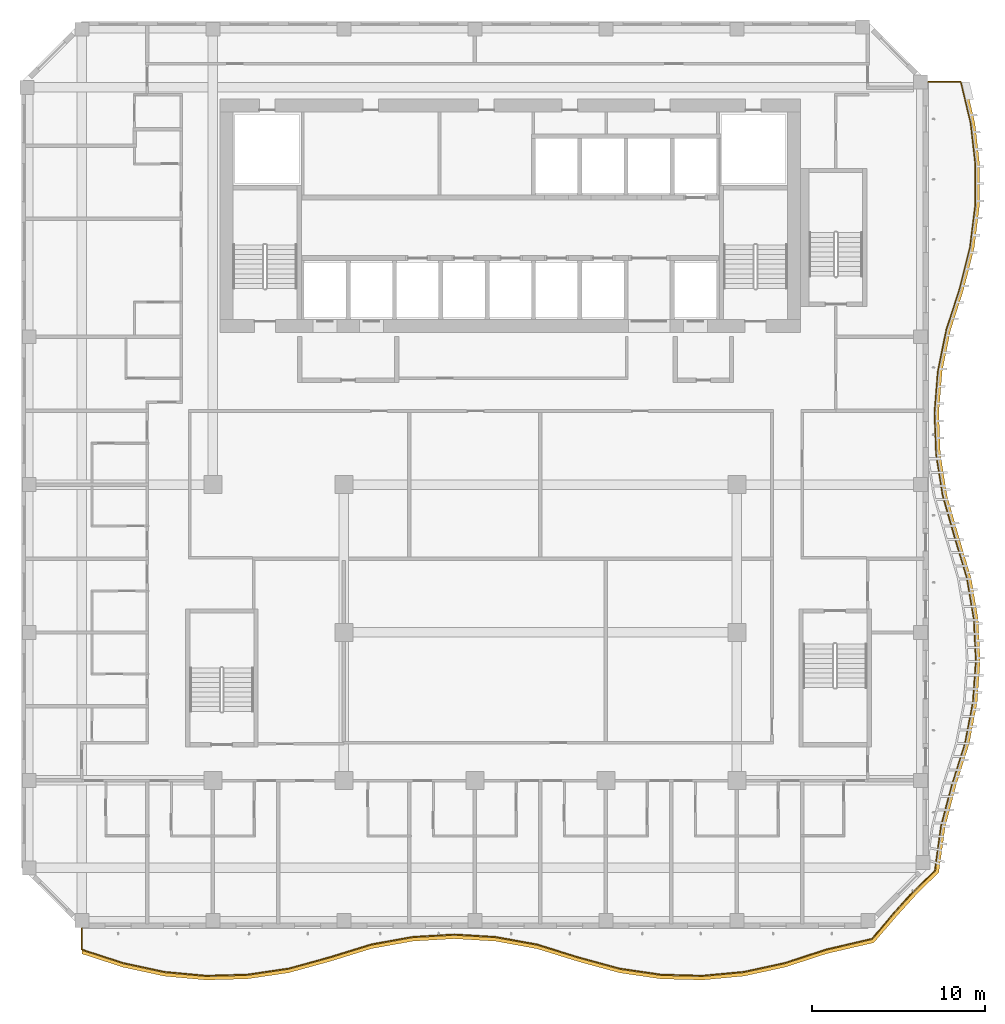
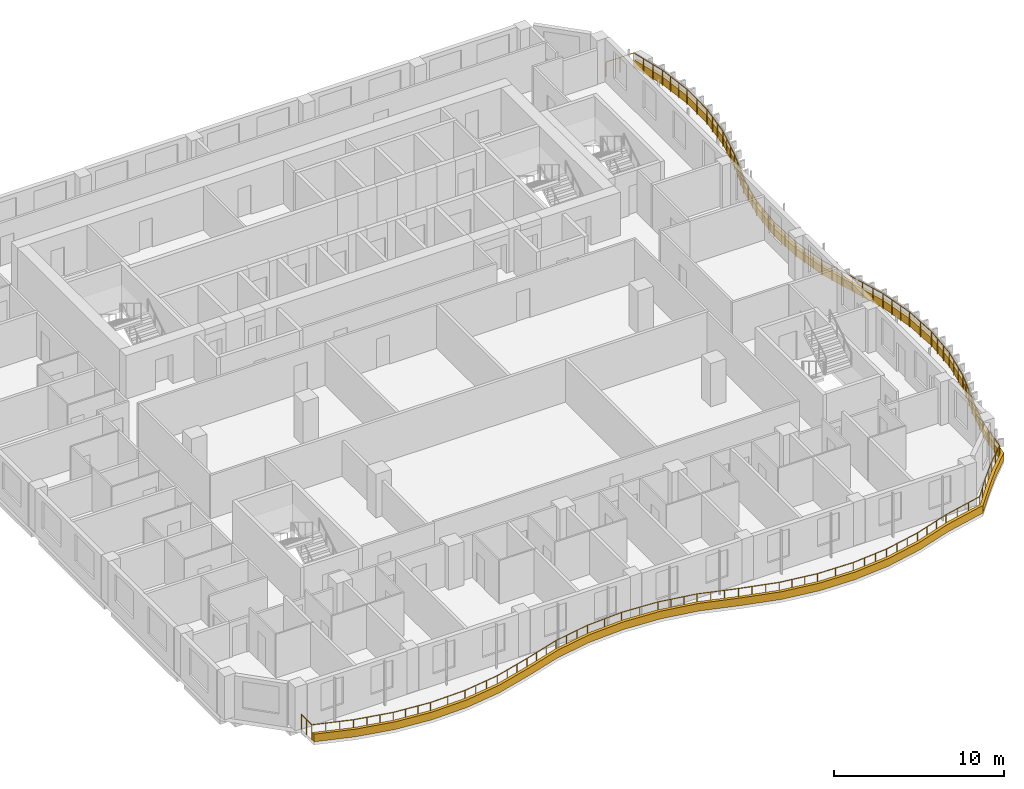
# One storey, part 16 of 22: 1 railing, 1 shading device.
"""IFC4 building model written with IfcOpenShell, lengths in metres."""

from ifc_helpers import new_model, si_unit, direction, frame, origin, origin_2d, place, context, subcontext, project, spatial, polyline, circle, outline, extrude, source, transform, mapped, material, layer, layer_set, type_object, element, save


model = new_model("IFC4")

# Units and contexts
model_context = context("Model", 3, precision=1e-05, world=origin(), true_north=direction((0.0, 1.0)))
body_context = subcontext(model_context, "Body", "Model", "MODEL_VIEW")
ifc_project = project(units=[si_unit("LENGTHUNIT", "METRE"), si_unit("AREAUNIT", "SQUARE_METRE"), si_unit("VOLUMEUNIT", "CUBIC_METRE"), si_unit("PLANEANGLEUNIT", "RADIAN"), si_unit("MASSUNIT", "GRAM", prefix="KILO")], contexts=[model_context])

# Site, building, storey
site_placement = place(None, origin())
site = spatial("IfcSite", under=ifc_project, at=site_placement, CompositionType="ELEMENT")
building_placement = place(site_placement, origin())
building = spatial("IfcBuilding", under=site, at=building_placement, Name="Kilnfold Tower and Market Hall", CompositionType="ELEMENT")
storey_placement = place(building_placement, frame((0.0, 0.0, 188.89990234375)))
storey = spatial("IfcBuildingStorey", under=building, at=storey_placement, Name="L45", CompositionType="ELEMENT", Elevation=188.89990234375)

# Railing
ifc_material_1 = material(Name="Stainless steel and laminated glass", Category="steel")
railing_type = type_object("IfcRailingType", Name="GUARD 1100", PredefinedType="GUARDRAIL", material=ifc_material_1)
railing_placement = place(storey_placement, frame((-23.75, -26.25, 0.0)))
element("IfcRailing", 1, at=railing_placement, inside=storey, type_object=railing_type, Name="Guard balcony L45", PredefinedType="GUARDRAIL", context=body_context, shape_type="SweptSolid", body=[
    extrude(circle(Radius=0.02490234375, at=origin_2d()), frame((0.0, 0.0, 1.0751953125), z_axis=(0.0, -1.0, 0.0), x_axis=(1.0, 0.0, 0.0)), (0.0, 0.0, 1.0), 1.224365234375),
    extrude(circle(Radius=0.02490234375, at=origin_2d()), frame((0.0, -1.224365234375, 1.0751953125), z_axis=(0.950974917233, -0.309268017736, 0.0), x_axis=(0.309268017736, 0.950974917233, 0.0)), (0.0, 0.0, 1.0), 2.518310546875),
    extrude(circle(Radius=0.02490234375, at=origin_2d()), frame((2.394775390625, -2.003173828125, 1.0751953125), z_axis=(0.977575784429, -0.210583916046, 0.0), x_axis=(0.210583916046, 0.977575784429, 0.0)), (0.0, 0.0, 1.0), 2.44970703125),
    extrude(circle(Radius=0.02490234375, at=origin_2d()), frame((4.78955078125, -2.51904296875, 1.0751953125), z_axis=(0.995788524299, -0.091679958956, 0.0), x_axis=(0.091679958956, 0.995788524299, 0.0)), (0.0, 0.0, 1.0), 2.404541015625),
    extrude(circle(Radius=0.02490234375, at=origin_2d()), frame((7.18408203125, -2.739501953125, 1.0751953125), z_axis=(0.999629744255, 0.027209821767, 0.0), x_axis=(-0.027209821767, 0.999629744255, 0.0)), (0.0, 0.0, 1.0), 2.395751953125),
    extrude(circle(Radius=0.02490234375, at=origin_2d()), frame((9.578857421875, -2.67431640625, 1.0751953125), z_axis=(0.989249979973, 0.146234322659, 0.0), x_axis=(-0.146234322659, 0.989249979973, 0.0)), (0.0, 0.0, 1.0), 2.4208984375),
    extrude(circle(Radius=0.02490234375, at=origin_2d()), frame((11.9736328125, -2.3203125, 1.0751953125), z_axis=(0.964217329388, 0.265113073439, 0.0), x_axis=(-0.265113073439, 0.964217329388, 0.0)), (0.0, 0.0, 1.0), 2.483642578125),
    extrude(circle(Radius=0.02490234375, at=origin_2d()), frame((14.368408203125, -1.661865234375, 1.0751953125), z_axis=(0.955618777997, 0.294606094878, 0.0), x_axis=(-0.294606094878, 0.955618777997, 0.0)), (0.0, 0.0, 1.0), 2.506103515625),
    extrude(circle(Radius=0.02490234375, at=origin_2d()), frame((16.76318359375, -0.923583984375, 1.0751953125), z_axis=(0.984089079297, 0.177675783406, 0.0), x_axis=(-0.177675783406, 0.984089079297, 0.0)), (0.0, 0.0, 1.0), 2.43359375),
    extrude(circle(Radius=0.02490234375, at=origin_2d()), frame((19.157958984375, -0.4912109375, 1.0751953125), z_axis=(0.998268049957, 0.058829418115, 0.0), x_axis=(-0.058829418115, 0.998268049957, 0.0)), (0.0, 0.0, 1.0), 2.398681640625),
    extrude(circle(Radius=0.02490234375, at=origin_2d()), frame((21.552490234375, -0.35009765625, 1.0751953125), z_axis=(0.998196318787, -0.06003423324, 0.0), x_axis=(0.06003423324, 0.998196318787, 0.0)), (0.0, 0.0, 1.0), 2.3994140625),
    extrude(circle(Radius=0.02490234375, at=origin_2d()), frame((23.947509765625, -0.494140625, 1.0751953125), z_axis=(0.983839401598, -0.179053153737, 0.0), x_axis=(0.179053153737, 0.983839401598, 0.0)), (0.0, 0.0, 1.0), 2.433837890625),
    extrude(circle(Radius=0.02490234375, at=origin_2d()), frame((26.342041015625, -0.929931640625, 1.0751953125), z_axis=(0.955344167839, -0.295495382325, 0.0), x_axis=(0.295495382325, 0.955344167839, 0.0)), (0.0, 0.0, 1.0), 2.5068359375),
    extrude(circle(Radius=0.02490234375, at=origin_2d()), frame((28.73681640625, -1.670654296875, 1.0751953125), z_axis=(0.964568398631, -0.263832909932, 0.0), x_axis=(0.263832909932, 0.964568398631, 0.0)), (0.0, 0.0, 1.0), 2.482666015625),
    extrude(circle(Radius=0.02490234375, at=origin_2d()), frame((31.131591796875, -2.32568359375, 1.0751953125), z_axis=(0.989438845711, -0.144950924792, 0.0), x_axis=(0.144950924792, 0.989438845711, 0.0)), (0.0, 0.0, 1.0), 2.42041015625),
    extrude(circle(Radius=0.02490234375, at=origin_2d()), frame((33.5263671875, -2.676513671875, 1.0751953125), z_axis=(0.999662261294, -0.02598775376, 0.0), x_axis=(0.02598775376, 0.999662261294, 0.0)), (0.0, 0.0, 1.0), 2.3955078125),
    extrude(circle(Radius=0.02490234375, at=origin_2d()), frame((35.921142578125, -2.73876953125, 1.0751953125), z_axis=(0.995668061089, 0.092979095112, 0.0), x_axis=(-0.092979095112, 0.995668061089, 0.0)), (0.0, 0.0, 1.0), 2.4052734375),
    extrude(circle(Radius=0.02490234375, at=origin_2d()), frame((38.31591796875, -2.51513671875, 1.0751953125), z_axis=(0.977283255554, 0.21193734549, 0.0), x_axis=(-0.21193734549, 0.977283255554, 0.0)), (0.0, 0.0, 1.0), 2.4501953125),
    extrude(circle(Radius=0.02490234375, at=origin_2d()), frame((40.71044921875, -1.995849609375, 1.0751953125), z_axis=(0.950917877768, 0.309443354657, 0.0), x_axis=(-0.309443354657, 0.950917877768, 0.0)), (0.0, 0.0, 1.0), 2.518310546875),
    extrude(circle(Radius=0.02490234375, at=origin_2d()), frame((43.105224609375, -1.216552734375, 1.0751953125), z_axis=(0.973733603056, 0.227690294654, 0.0), x_axis=(-0.227690294654, 0.973733603056, 0.0)), (0.0, 0.0, 1.0), 2.7138671875),
    extrude(circle(Radius=0.02490234375, at=origin_2d()), frame((45.747802734375, -0.5986328125, 1.0751953125), z_axis=(0.64208555825, 0.766632986432, 0.0), x_axis=(-0.766632986432, 0.64208555825, 0.0)), (0.0, 0.0, 1.0), 1.9052734375),
    extrude(circle(Radius=0.02490234375, at=origin_2d()), frame((46.97119140625, 0.862060546875, 1.0751953125), z_axis=(0.67198840557, 0.740561667101, 0.0), x_axis=(-0.740561667101, 0.67198840557, 0.0)), (0.0, 0.0, 1.0), 1.65185546875),
    extrude(circle(Radius=0.02490234375, at=origin_2d()), frame((48.081298828125, 2.08544921875, 1.0751953125), z_axis=(0.716444502051, 0.697644089405, 0.0), x_axis=(-0.697644089405, 0.716444502051, 0.0)), (0.0, 0.0, 1.0), 1.804931640625),
    extrude(circle(Radius=0.02490234375, at=origin_2d()), frame((49.37451171875, 3.3447265625, 1.0751953125), z_axis=(0.137596798366, 0.990488324555, 0.0), x_axis=(-0.990488324555, 0.137596798366, 0.0)), (0.0, 0.0, 1.0), 2.574462890625),
    extrude(circle(Radius=0.02490234375, at=origin_2d()), frame((49.728759765625, 5.894775390625, 1.0751953125), z_axis=(0.252710991738, 0.967541810288, 0.0), x_axis=(-0.967541810288, 0.252710991738, 0.0)), (0.0, 0.0, 1.0), 2.47509765625),
    extrude(circle(Radius=0.02490234375, at=origin_2d()), frame((50.354248046875, 8.28955078125, 1.0751953125), z_axis=(0.302256784173, 0.953226539927, 0.0), x_axis=(-0.953226539927, 0.302256784173, 0.0)), (0.0, 0.0, 1.0), 2.511962890625),
    extrude(circle(Radius=0.02490234375, at=origin_2d()), frame((51.113525390625, 10.68408203125, 1.0751953125), z_axis=(0.190165057886, 0.981752133056, 0.0), x_axis=(-0.981752133056, 0.190165057886, 0.0)), (0.0, 0.0, 1.0), 2.439208984375),
    extrude(circle(Radius=0.02490234375, at=origin_2d()), frame((51.577392578125, 13.078857421875, 1.0751953125), z_axis=(0.07128318268, 0.997456118266, 0.0), x_axis=(-0.997456118266, 0.07128318268, 0.0)), (0.0, 0.0, 1.0), 2.40087890625),
    extrude(circle(Radius=0.02490234375, at=origin_2d()), frame((51.74853515625, 15.4736328125, 1.0751953125), z_axis=(-0.047657073898, 0.998863756129, 0.0), x_axis=(-0.998863756129, -0.047657073898, 0.0)), (0.0, 0.0, 1.0), 2.3974609375),
    extrude(circle(Radius=0.02490234375, at=origin_2d()), frame((51.63427734375, 17.868408203125, 1.0751953125), z_axis=(-0.166566627006, 0.986030201752, 0.0), x_axis=(-0.986030201752, -0.166566627006, 0.0)), (0.0, 0.0, 1.0), 2.4287109375),
    extrude(circle(Radius=0.02490234375, at=origin_2d()), frame((51.229736328125, 20.26318359375, 1.0751953125), z_axis=(-0.285402117168, 0.95840786282, 0.0), x_axis=(-0.95840786282, -0.285402117168, 0.0)), (0.0, 0.0, 1.0), 2.498779296875),
    extrude(circle(Radius=0.02490234375, at=origin_2d()), frame((50.5166015625, 22.657958984375, 1.0751953125), z_axis=(-0.276325526195, 0.961064099617, 0.0), x_axis=(-0.961064099617, -0.276325526195, 0.0)), (0.0, 0.0, 1.0), 2.491455078125),
    extrude(circle(Radius=0.02490234375, at=origin_2d()), frame((49.828125, 25.052490234375, 1.0751953125), z_axis=(-0.157342648523, 0.987544070387, 0.0), x_axis=(-0.987544070387, -0.157342648523, 0.0)), (0.0, 0.0, 1.0), 2.42529296875),
    extrude(circle(Radius=0.02490234375, at=origin_2d()), frame((49.446533203125, 27.447509765625, 1.0751953125), z_axis=(-0.038409645508, 0.999262077301, 0.0), x_axis=(-0.999262077301, -0.038409645508, 0.0)), (0.0, 0.0, 1.0), 2.396240234375),
    extrude(circle(Radius=0.02490234375, at=origin_2d()), frame((49.3544921875, 29.842041015625, 1.0751953125), z_axis=(0.080480264279, 0.996756202419, 0.0), x_axis=(-0.996756202419, 0.080480264279, 0.0)), (0.0, 0.0, 1.0), 2.402587890625),
    extrude(circle(Radius=0.02490234375, at=origin_2d()), frame((49.5478515625, 32.23681640625, 1.0751953125), z_axis=(0.199496129353, 0.979898614334, 0.0), x_axis=(-0.979898614334, 0.199496129353, 0.0)), (0.0, 0.0, 1.0), 2.44384765625),
    extrude(circle(Radius=0.02490234375, at=origin_2d()), frame((50.035400390625, 34.631591796875, 1.0751953125), z_axis=(0.306282472016, 0.951940674273, 0.0), x_axis=(-0.951940674273, 0.306282472016, 0.0)), (0.0, 0.0, 1.0), 2.515625),
    extrude(circle(Radius=0.02490234375, at=origin_2d()), frame((50.805908203125, 37.0263671875, 1.0751953125), z_axis=(0.243442889594, 0.969915233155, 0.0), x_axis=(-0.969915233155, 0.243442889594, 0.0)), (0.0, 0.0, 1.0), 2.468994140625),
    extrude(circle(Radius=0.02490234375, at=origin_2d()), frame((51.406982421875, 39.421142578125, 1.0751953125), z_axis=(0.124520257707, 0.992217065677, 0.0), x_axis=(-0.992217065677, 0.124520257707, 0.0)), (0.0, 0.0, 1.0), 2.41357421875),
    extrude(circle(Radius=0.02490234375, at=origin_2d()), frame((51.70751953125, 41.81591796875, 1.0751953125), z_axis=(0.00550562618, 0.999984843925, 0.0), x_axis=(-0.999984843925, 0.00550562618, 0.0)), (0.0, 0.0, 1.0), 2.39453125),
    extrude(circle(Radius=0.02490234375, at=origin_2d()), frame((51.720703125, 44.21044921875, 1.0751953125), z_axis=(-0.113343763482, 0.993555831989, 0.0), x_axis=(-0.993555831989, -0.113343763482, 0.0)), (0.0, 0.0, 1.0), 2.410400390625),
    extrude(circle(Radius=0.02490234375, at=origin_2d()), frame((51.447509765625, 46.605224609375, 1.0751953125), z_axis=(-0.232326486138, 0.972637858526, 0.0), x_axis=(-0.972637858526, -0.232326486138, 0.0)), (0.0, 0.0, 1.0), 2.462158203125),
    extrude(circle(Radius=0.02490234375, at=origin_2d()), frame((50.87548828125, 49.0, 1.0751953125), z_axis=(-1.0, 0.0, 0.0), x_axis=(0.0, -1.0, 0.0)), (0.0, 0.0, 1.0), 1.87548828125),
    extrude(circle(Radius=0.02490234375, at=origin_2d()), origin(), (0.0, 0.0, 1.0), 1.050048828125),
    extrude(circle(Radius=0.02490234375, at=origin_2d()), frame((0.0, -0.6123046875, 0.0)), (0.0, 0.0, 1.0), 1.050048828125),
    extrude(circle(Radius=0.02490234375, at=origin_2d()), frame((0.0, -1.224365234375, 0.0)), (0.0, 0.0, 1.0), 1.050048828125),
    extrude(circle(Radius=0.02490234375, at=origin_2d()), frame((0.79833984375, -1.48388671875, 0.0)), (0.0, 0.0, 1.0), 1.050048828125),
    extrude(circle(Radius=0.02490234375, at=origin_2d()), frame((1.596435546875, -1.74365234375, 0.0)), (0.0, 0.0, 1.0), 1.050048828125),
    extrude(circle(Radius=0.02490234375, at=origin_2d()), frame((2.394775390625, -2.003173828125, 0.0)), (0.0, 0.0, 1.0), 1.050048828125),
    extrude(circle(Radius=0.02490234375, at=origin_2d()), frame((3.193115234375, -2.175048828125, 0.0)), (0.0, 0.0, 1.0), 1.050048828125),
    extrude(circle(Radius=0.02490234375, at=origin_2d()), frame((3.9912109375, -2.34716796875, 0.0)), (0.0, 0.0, 1.0), 1.050048828125),
    extrude(circle(Radius=0.02490234375, at=origin_2d()), frame((4.78955078125, -2.51904296875, 0.0)), (0.0, 0.0, 1.0), 1.050048828125),
    extrude(circle(Radius=0.02490234375, at=origin_2d()), frame((5.587646484375, -2.592529296875, 0.0)), (0.0, 0.0, 1.0), 1.050048828125),
    extrude(circle(Radius=0.02490234375, at=origin_2d()), frame((6.385986328125, -2.666015625, 0.0)), (0.0, 0.0, 1.0), 1.050048828125),
    extrude(circle(Radius=0.02490234375, at=origin_2d()), frame((7.18408203125, -2.739501953125, 0.0)), (0.0, 0.0, 1.0), 1.050048828125),
    extrude(circle(Radius=0.02490234375, at=origin_2d()), frame((8.38134765625, -2.70703125, 0.0)), (0.0, 0.0, 1.0), 1.050048828125),
    extrude(circle(Radius=0.02490234375, at=origin_2d()), frame((9.578857421875, -2.67431640625, 0.0)), (0.0, 0.0, 1.0), 1.050048828125),
    extrude(circle(Radius=0.02490234375, at=origin_2d()), frame((10.377197265625, -2.556396484375, 0.0)), (0.0, 0.0, 1.0), 1.050048828125),
    extrude(circle(Radius=0.02490234375, at=origin_2d()), frame((11.17529296875, -2.438232421875, 0.0)), (0.0, 0.0, 1.0), 1.050048828125),
    extrude(circle(Radius=0.02490234375, at=origin_2d()), frame((11.9736328125, -2.3203125, 0.0)), (0.0, 0.0, 1.0), 1.050048828125),
    extrude(circle(Radius=0.02490234375, at=origin_2d()), frame((12.77197265625, -2.100830078125, 0.0)), (0.0, 0.0, 1.0), 1.050048828125),
    extrude(circle(Radius=0.02490234375, at=origin_2d()), frame((13.570068359375, -1.88134765625, 0.0)), (0.0, 0.0, 1.0), 1.050048828125),
    extrude(circle(Radius=0.02490234375, at=origin_2d()), frame((14.368408203125, -1.661865234375, 0.0)), (0.0, 0.0, 1.0), 1.050048828125),
    extrude(circle(Radius=0.02490234375, at=origin_2d()), frame((15.166748046875, -1.415771484375, 0.0)), (0.0, 0.0, 1.0), 1.050048828125),
    extrude(circle(Radius=0.02490234375, at=origin_2d()), frame((15.96484375, -1.169677734375, 0.0)), (0.0, 0.0, 1.0), 1.050048828125),
    extrude(circle(Radius=0.02490234375, at=origin_2d()), frame((16.76318359375, -0.923583984375, 0.0)), (0.0, 0.0, 1.0), 1.050048828125),
    extrude(circle(Radius=0.02490234375, at=origin_2d()), frame((17.5615234375, -0.779541015625, 0.0)), (0.0, 0.0, 1.0), 1.050048828125),
    extrude(circle(Radius=0.02490234375, at=origin_2d()), frame((18.359619140625, -0.63525390625, 0.0)), (0.0, 0.0, 1.0), 1.050048828125),
    extrude(circle(Radius=0.02490234375, at=origin_2d()), frame((19.157958984375, -0.4912109375, 0.0)), (0.0, 0.0, 1.0), 1.050048828125),
    extrude(circle(Radius=0.02490234375, at=origin_2d()), frame((20.355224609375, -0.420654296875, 0.0)), (0.0, 0.0, 1.0), 1.050048828125),
    extrude(circle(Radius=0.02490234375, at=origin_2d()), frame((21.552490234375, -0.35009765625, 0.0)), (0.0, 0.0, 1.0), 1.050048828125),
    extrude(circle(Radius=0.02490234375, at=origin_2d()), frame((22.75, -0.422119140625, 0.0)), (0.0, 0.0, 1.0), 1.050048828125),
    extrude(circle(Radius=0.02490234375, at=origin_2d()), frame((23.947509765625, -0.494140625, 0.0)), (0.0, 0.0, 1.0), 1.050048828125),
    extrude(circle(Radius=0.02490234375, at=origin_2d()), frame((24.74560546875, -0.639404296875, 0.0)), (0.0, 0.0, 1.0), 1.050048828125),
    extrude(circle(Radius=0.02490234375, at=origin_2d()), frame((25.5439453125, -0.78466796875, 0.0)), (0.0, 0.0, 1.0), 1.050048828125),
    extrude(circle(Radius=0.02490234375, at=origin_2d()), frame((26.342041015625, -0.929931640625, 0.0)), (0.0, 0.0, 1.0), 1.050048828125),
    extrude(circle(Radius=0.02490234375, at=origin_2d()), frame((27.140380859375, -1.1767578125, 0.0)), (0.0, 0.0, 1.0), 1.050048828125),
    extrude(circle(Radius=0.02490234375, at=origin_2d()), frame((27.9384765625, -1.423828125, 0.0)), (0.0, 0.0, 1.0), 1.050048828125),
    extrude(circle(Radius=0.02490234375, at=origin_2d()), frame((28.73681640625, -1.670654296875, 0.0)), (0.0, 0.0, 1.0), 1.050048828125),
    extrude(circle(Radius=0.02490234375, at=origin_2d()), frame((29.53515625, -1.888916015625, 0.0)), (0.0, 0.0, 1.0), 1.050048828125),
    extrude(circle(Radius=0.02490234375, at=origin_2d()), frame((30.333251953125, -2.107421875, 0.0)), (0.0, 0.0, 1.0), 1.050048828125),
    extrude(circle(Radius=0.02490234375, at=origin_2d()), frame((31.131591796875, -2.32568359375, 0.0)), (0.0, 0.0, 1.0), 1.050048828125),
    extrude(circle(Radius=0.02490234375, at=origin_2d()), frame((31.929931640625, -2.442626953125, 0.0)), (0.0, 0.0, 1.0), 1.050048828125),
    extrude(circle(Radius=0.02490234375, at=origin_2d()), frame((32.72802734375, -2.5595703125, 0.0)), (0.0, 0.0, 1.0), 1.050048828125),
    extrude(circle(Radius=0.02490234375, at=origin_2d()), frame((33.5263671875, -2.676513671875, 0.0)), (0.0, 0.0, 1.0), 1.050048828125),
    extrude(circle(Radius=0.02490234375, at=origin_2d()), frame((34.7236328125, -2.70751953125, 0.0)), (0.0, 0.0, 1.0), 1.050048828125),
    extrude(circle(Radius=0.02490234375, at=origin_2d()), frame((35.921142578125, -2.73876953125, 0.0)), (0.0, 0.0, 1.0), 1.050048828125),
    extrude(circle(Radius=0.02490234375, at=origin_2d()), frame((36.719482421875, -2.664306640625, 0.0)), (0.0, 0.0, 1.0), 1.050048828125),
    extrude(circle(Radius=0.02490234375, at=origin_2d()), frame((37.517578125, -2.589599609375, 0.0)), (0.0, 0.0, 1.0), 1.050048828125),
    extrude(circle(Radius=0.02490234375, at=origin_2d()), frame((38.31591796875, -2.51513671875, 0.0)), (0.0, 0.0, 1.0), 1.050048828125),
    extrude(circle(Radius=0.02490234375, at=origin_2d()), frame((39.114013671875, -2.342041015625, 0.0)), (0.0, 0.0, 1.0), 1.050048828125),
    extrude(circle(Radius=0.02490234375, at=origin_2d()), frame((39.912353515625, -2.1689453125, 0.0)), (0.0, 0.0, 1.0), 1.050048828125),
    extrude(circle(Radius=0.02490234375, at=origin_2d()), frame((40.71044921875, -1.995849609375, 0.0)), (0.0, 0.0, 1.0), 1.050048828125),
    extrude(circle(Radius=0.02490234375, at=origin_2d()), frame((41.5087890625, -1.736083984375, 0.0)), (0.0, 0.0, 1.0), 1.050048828125),
    extrude(circle(Radius=0.02490234375, at=origin_2d()), frame((42.306884765625, -1.476318359375, 0.0)), (0.0, 0.0, 1.0), 1.050048828125),
    extrude(circle(Radius=0.02490234375, at=origin_2d()), frame((43.105224609375, -1.216552734375, 0.0)), (0.0, 0.0, 1.0), 1.050048828125),
    extrude(circle(Radius=0.02490234375, at=origin_2d()), frame((43.986083984375, -1.010498046875, 0.0)), (0.0, 0.0, 1.0), 1.050048828125),
    extrude(circle(Radius=0.02490234375, at=origin_2d()), frame((44.866943359375, -0.8046875, 0.0)), (0.0, 0.0, 1.0), 1.050048828125),
    extrude(circle(Radius=0.02490234375, at=origin_2d()), frame((45.747802734375, -0.5986328125, 0.0)), (0.0, 0.0, 1.0), 1.050048828125),
    extrude(circle(Radius=0.02490234375, at=origin_2d()), frame((46.359375, 0.1318359375, 0.0)), (0.0, 0.0, 1.0), 1.050048828125),
    extrude(circle(Radius=0.02490234375, at=origin_2d()), frame((46.97119140625, 0.862060546875, 0.0)), (0.0, 0.0, 1.0), 1.050048828125),
    extrude(circle(Radius=0.02490234375, at=origin_2d()), frame((47.5263671875, 1.4736328125, 0.0)), (0.0, 0.0, 1.0), 1.050048828125),
    extrude(circle(Radius=0.02490234375, at=origin_2d()), frame((48.081298828125, 2.08544921875, 0.0)), (0.0, 0.0, 1.0), 1.050048828125),
    extrude(circle(Radius=0.02490234375, at=origin_2d()), frame((48.72802734375, 2.715087890625, 0.0)), (0.0, 0.0, 1.0), 1.050048828125),
    extrude(circle(Radius=0.02490234375, at=origin_2d()), frame((49.37451171875, 3.3447265625, 0.0)), (0.0, 0.0, 1.0), 1.050048828125),
    extrude(circle(Radius=0.02490234375, at=origin_2d()), frame((49.49267578125, 4.19482421875, 0.0)), (0.0, 0.0, 1.0), 1.050048828125),
    extrude(circle(Radius=0.02490234375, at=origin_2d()), frame((49.610595703125, 5.044677734375, 0.0)), (0.0, 0.0, 1.0), 1.050048828125),
    extrude(circle(Radius=0.02490234375, at=origin_2d()), frame((49.728759765625, 5.894775390625, 0.0)), (0.0, 0.0, 1.0), 1.050048828125),
    extrude(circle(Radius=0.02490234375, at=origin_2d()), frame((49.937255859375, 6.693115234375, 0.0)), (0.0, 0.0, 1.0), 1.050048828125),
    extrude(circle(Radius=0.02490234375, at=origin_2d()), frame((50.145751953125, 7.4912109375, 0.0)), (0.0, 0.0, 1.0), 1.050048828125),
    extrude(circle(Radius=0.02490234375, at=origin_2d()), frame((50.354248046875, 8.28955078125, 0.0)), (0.0, 0.0, 1.0), 1.050048828125),
    extrude(circle(Radius=0.02490234375, at=origin_2d()), frame((50.607421875, 9.087646484375, 0.0)), (0.0, 0.0, 1.0), 1.050048828125),
    extrude(circle(Radius=0.02490234375, at=origin_2d()), frame((50.8603515625, 9.885986328125, 0.0)), (0.0, 0.0, 1.0), 1.050048828125),
    extrude(circle(Radius=0.02490234375, at=origin_2d()), frame((51.113525390625, 10.68408203125, 0.0)), (0.0, 0.0, 1.0), 1.050048828125),
    extrude(circle(Radius=0.02490234375, at=origin_2d()), frame((51.26806640625, 11.482421875, 0.0)), (0.0, 0.0, 1.0), 1.050048828125),
    extrude(circle(Radius=0.02490234375, at=origin_2d()), frame((51.4228515625, 12.280517578125, 0.0)), (0.0, 0.0, 1.0), 1.050048828125),
    extrude(circle(Radius=0.02490234375, at=origin_2d()), frame((51.577392578125, 13.078857421875, 0.0)), (0.0, 0.0, 1.0), 1.050048828125),
    extrude(circle(Radius=0.02490234375, at=origin_2d()), frame((51.634521484375, 13.877197265625, 0.0)), (0.0, 0.0, 1.0), 1.050048828125),
    extrude(circle(Radius=0.02490234375, at=origin_2d()), frame((51.69140625, 14.67529296875, 0.0)), (0.0, 0.0, 1.0), 1.050048828125),
    extrude(circle(Radius=0.02490234375, at=origin_2d()), frame((51.74853515625, 15.4736328125, 0.0)), (0.0, 0.0, 1.0), 1.050048828125),
    extrude(circle(Radius=0.02490234375, at=origin_2d()), frame((51.69140625, 16.6708984375, 0.0)), (0.0, 0.0, 1.0), 1.050048828125),
    extrude(circle(Radius=0.02490234375, at=origin_2d()), frame((51.63427734375, 17.868408203125, 0.0)), (0.0, 0.0, 1.0), 1.050048828125),
    extrude(circle(Radius=0.02490234375, at=origin_2d()), frame((51.49951171875, 18.666748046875, 0.0)), (0.0, 0.0, 1.0), 1.050048828125),
    extrude(circle(Radius=0.02490234375, at=origin_2d()), frame((51.364501953125, 19.46484375, 0.0)), (0.0, 0.0, 1.0), 1.050048828125),
    extrude(circle(Radius=0.02490234375, at=origin_2d()), frame((51.229736328125, 20.26318359375, 0.0)), (0.0, 0.0, 1.0), 1.050048828125),
    extrude(circle(Radius=0.02490234375, at=origin_2d()), frame((50.991943359375, 21.0615234375, 0.0)), (0.0, 0.0, 1.0), 1.050048828125),
    extrude(circle(Radius=0.02490234375, at=origin_2d()), frame((50.75439453125, 21.859619140625, 0.0)), (0.0, 0.0, 1.0), 1.050048828125),
    extrude(circle(Radius=0.02490234375, at=origin_2d()), frame((50.5166015625, 22.657958984375, 0.0)), (0.0, 0.0, 1.0), 1.050048828125),
    extrude(circle(Radius=0.02490234375, at=origin_2d()), frame((50.287109375, 23.4560546875, 0.0)), (0.0, 0.0, 1.0), 1.050048828125),
    extrude(circle(Radius=0.02490234375, at=origin_2d()), frame((50.0576171875, 24.25439453125, 0.0)), (0.0, 0.0, 1.0), 1.050048828125),
    extrude(circle(Radius=0.02490234375, at=origin_2d()), frame((49.828125, 25.052490234375, 0.0)), (0.0, 0.0, 1.0), 1.050048828125),
    extrude(circle(Radius=0.02490234375, at=origin_2d()), frame((49.700927734375, 25.850830078125, 0.0)), (0.0, 0.0, 1.0), 1.050048828125),
    extrude(circle(Radius=0.02490234375, at=origin_2d()), frame((49.57373046875, 26.649169921875, 0.0)), (0.0, 0.0, 1.0), 1.050048828125),
    extrude(circle(Radius=0.02490234375, at=origin_2d()), frame((49.446533203125, 27.447509765625, 0.0)), (0.0, 0.0, 1.0), 1.050048828125),
    extrude(circle(Radius=0.02490234375, at=origin_2d()), frame((49.400390625, 28.644775390625, 0.0)), (0.0, 0.0, 1.0), 1.050048828125),
    extrude(circle(Radius=0.02490234375, at=origin_2d()), frame((49.3544921875, 29.842041015625, 0.0)), (0.0, 0.0, 1.0), 1.050048828125),
    extrude(circle(Radius=0.02490234375, at=origin_2d()), frame((49.4189453125, 30.640380859375, 0.0)), (0.0, 0.0, 1.0), 1.050048828125),
    extrude(circle(Radius=0.02490234375, at=origin_2d()), frame((49.4833984375, 31.4384765625, 0.0)), (0.0, 0.0, 1.0), 1.050048828125),
    extrude(circle(Radius=0.02490234375, at=origin_2d()), frame((49.5478515625, 32.23681640625, 0.0)), (0.0, 0.0, 1.0), 1.050048828125),
    extrude(circle(Radius=0.02490234375, at=origin_2d()), frame((49.71044921875, 33.03515625, 0.0)), (0.0, 0.0, 1.0), 1.050048828125),
    extrude(circle(Radius=0.02490234375, at=origin_2d()), frame((49.872802734375, 33.833251953125, 0.0)), (0.0, 0.0, 1.0), 1.050048828125),
    extrude(circle(Radius=0.02490234375, at=origin_2d()), frame((50.035400390625, 34.631591796875, 0.0)), (0.0, 0.0, 1.0), 1.050048828125),
    extrude(circle(Radius=0.02490234375, at=origin_2d()), frame((50.292236328125, 35.429931640625, 0.0)), (0.0, 0.0, 1.0), 1.050048828125),
    extrude(circle(Radius=0.02490234375, at=origin_2d()), frame((50.549072265625, 36.22802734375, 0.0)), (0.0, 0.0, 1.0), 1.050048828125),
    extrude(circle(Radius=0.02490234375, at=origin_2d()), frame((50.805908203125, 37.0263671875, 0.0)), (0.0, 0.0, 1.0), 1.050048828125),
    extrude(circle(Radius=0.02490234375, at=origin_2d()), frame((51.00634765625, 37.82470703125, 0.0)), (0.0, 0.0, 1.0), 1.050048828125),
    extrude(circle(Radius=0.02490234375, at=origin_2d()), frame((51.20654296875, 38.622802734375, 0.0)), (0.0, 0.0, 1.0), 1.050048828125),
    extrude(circle(Radius=0.02490234375, at=origin_2d()), frame((51.406982421875, 39.421142578125, 0.0)), (0.0, 0.0, 1.0), 1.050048828125),
    extrude(circle(Radius=0.02490234375, at=origin_2d()), frame((51.507080078125, 40.219482421875, 0.0)), (0.0, 0.0, 1.0), 1.050048828125),
    extrude(circle(Radius=0.02490234375, at=origin_2d()), frame((51.607421875, 41.017578125, 0.0)), (0.0, 0.0, 1.0), 1.050048828125),
    extrude(circle(Radius=0.02490234375, at=origin_2d()), frame((51.70751953125, 41.81591796875, 0.0)), (0.0, 0.0, 1.0), 1.050048828125),
    extrude(circle(Radius=0.02490234375, at=origin_2d()), frame((51.714111328125, 43.01318359375, 0.0)), (0.0, 0.0, 1.0), 1.050048828125),
    extrude(circle(Radius=0.02490234375, at=origin_2d()), frame((51.720703125, 44.21044921875, 0.0)), (0.0, 0.0, 1.0), 1.050048828125),
    extrude(circle(Radius=0.02490234375, at=origin_2d()), frame((51.629638671875, 45.0087890625, 0.0)), (0.0, 0.0, 1.0), 1.050048828125),
    extrude(circle(Radius=0.02490234375, at=origin_2d()), frame((51.53857421875, 45.806884765625, 0.0)), (0.0, 0.0, 1.0), 1.050048828125),
    extrude(circle(Radius=0.02490234375, at=origin_2d()), frame((51.447509765625, 46.605224609375, 0.0)), (0.0, 0.0, 1.0), 1.050048828125),
    extrude(circle(Radius=0.02490234375, at=origin_2d()), frame((51.2568359375, 47.403564453125, 0.0)), (0.0, 0.0, 1.0), 1.050048828125),
    extrude(circle(Radius=0.02490234375, at=origin_2d()), frame((51.066162109375, 48.20166015625, 0.0)), (0.0, 0.0, 1.0), 1.050048828125),
    extrude(circle(Radius=0.02490234375, at=origin_2d()), frame((50.87548828125, 49.0, 0.0)), (0.0, 0.0, 1.0), 1.050048828125),
    extrude(circle(Radius=0.02490234375, at=origin_2d()), frame((49.937744140625, 49.0, 0.0)), (0.0, 0.0, 1.0), 1.050048828125),
    extrude(circle(Radius=0.02490234375, at=origin_2d()), frame((49.0, 49.0, 0.0)), (0.0, 0.0, 1.0), 1.050048828125),
])

# Shading device
ifc_material_2 = material(Name="Precast concrete C50/60", Category="concrete")
ifc_layer = layer(ifc_material_2, 0.550048828125)
ifc_layer_set = layer_set([ifc_layer], Name="Precast concrete C50/60")
shading_device_type = type_object("IfcShadingDeviceType", Name="BALCONY UPSTAND 550", PredefinedType="USERDEFINED", material=ifc_layer_set)
shared_shape = source(origin(), body_context, "Body", "SweptSolid", [
    extrude(outline(polyline([(-23.75, -27.724365234375), (-21.355224609375, -28.503173828125), (-18.96044921875, -29.01904296875), (-16.56591796875, -29.239501953125), (-14.171142578125, -29.17431640625), (-11.7763671875, -28.8203125), (-9.381591796875, -28.161865234375), (-6.98681640625, -27.423583984375), (-4.592041015625, -26.9912109375), (-2.197509765625, -26.85009765625), (0.197509765625, -26.994140625), (2.592041015625, -27.429931640625), (4.98681640625, -28.170654296875), (7.381591796875, -28.82568359375), (9.7763671875, -29.176513671875), (12.171142578125, -29.23876953125), (14.56591796875, -29.01513671875), (16.96044921875, -28.495849609375), (19.355224609375, -27.716552734375), (22.093505859375, -27.07958984375), (23.398193359375, -25.564697265625), (24.508056640625, -24.34130859375), (25.855712890625, -23.0009765625), (26.228759765625, -20.355224609375), (26.854248046875, -17.96044921875), (27.613525390625, -15.56591796875), (28.077392578125, -13.171142578125), (28.24853515625, -10.7763671875), (28.13427734375, -8.381591796875), (27.729736328125, -5.98681640625), (27.0166015625, -3.592041015625), (26.328125, -1.197509765625), (25.946533203125, 1.197509765625), (25.8544921875, 3.592041015625), (26.0478515625, 5.98681640625), (26.535400390625, 8.381591796875), (27.305908203125, 10.7763671875), (27.906982421875, 13.171142578125), (28.20751953125, 15.56591796875), (28.220703125, 17.96044921875), (27.947509765625, 20.355224609375), (27.37548828125, 22.75), (27.175537109375, 22.75), (27.74755859375, 20.355224609375), (28.020751953125, 17.96044921875), (28.00732421875, 15.56591796875), (27.706787109375, 13.171142578125), (27.105712890625, 10.7763671875), (26.335205078125, 8.381591796875), (25.847900390625, 5.98681640625), (25.654541015625, 3.592041015625), (25.74658203125, 1.197509765625), (26.128173828125, -1.197509765625), (26.816650390625, -3.592041015625), (27.52978515625, -5.98681640625), (27.934326171875, -8.381591796875), (28.048583984375, -10.7763671875), (27.87744140625, -13.171142578125), (27.41357421875, -15.56591796875), (26.654296875, -17.96044921875), (26.02880859375, -20.355224609375), (25.6708984375, -22.92431640625), (24.36669921875, -24.199951171875), (23.256591796875, -25.42333984375), (22.01708984375, -26.894775390625), (19.355224609375, -27.5166015625), (16.96044921875, -28.2958984375), (14.56591796875, -28.815185546875), (12.171142578125, -29.038818359375), (9.7763671875, -28.9765625), (7.381591796875, -28.625732421875), (4.98681640625, -27.970703125), (2.592041015625, -27.22998046875), (0.197509765625, -26.794189453125), (-2.197509765625, -26.64990234375), (-4.592041015625, -26.791015625), (-6.98681640625, -27.2236328125), (-9.381591796875, -27.9619140625), (-11.7763671875, -28.620361328125), (-14.171142578125, -28.974365234375), (-16.56591796875, -29.03955078125), (-18.96044921875, -28.819091796875), (-21.355224609375, -28.30322265625), (-23.75, -27.5244140625), (-23.75, -27.724365234375)])), origin(), (0.0, 0.0, 1.0), 0.550048828125),
])
shading_device_placement = place(storey_placement, origin())
element("IfcShadingDevice", 2, at=shading_device_placement, inside=storey, type_object=shading_device_type, Name="Balcony fascia L45", ObjectType="FASCIA", PredefinedType="USERDEFINED", context=body_context, shape_type="MappedRepresentation", body=[
    mapped(shared_shape, transform((0.0, 0.0, 0.0))),
])

save(model, "model.ifc")
